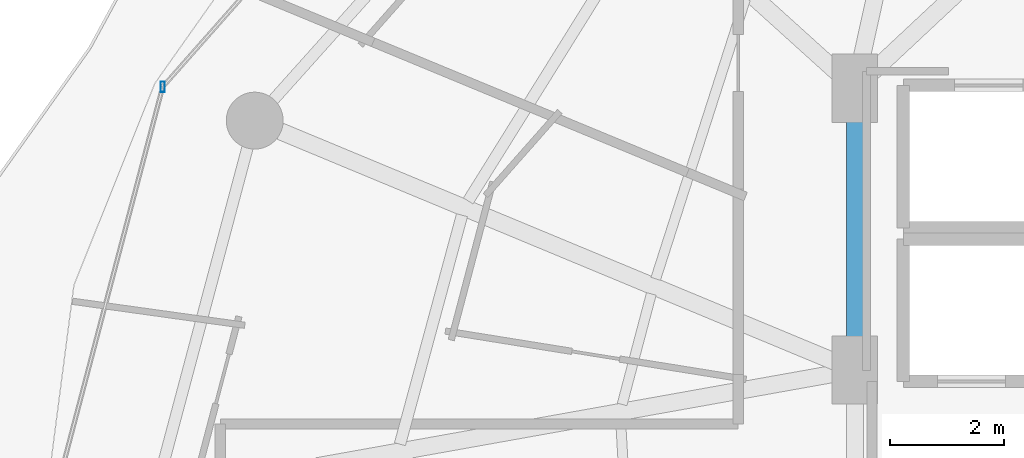
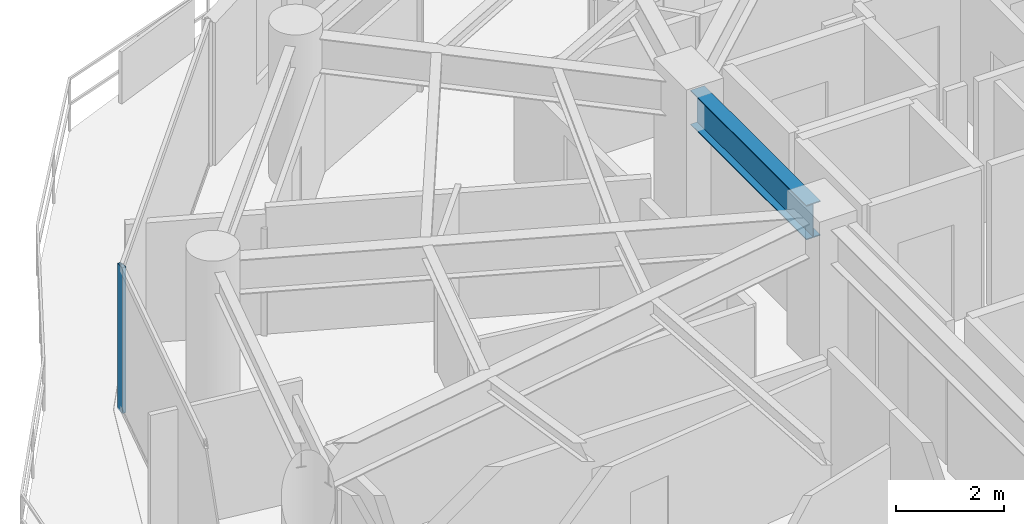
# One storey, part 9 of 29: 1 beam, 1 member, 1 element without a shape of its own.
"""IFC4 building model written with IfcOpenShell, lengths in metres."""

from ifc_helpers import new_model, si_unit, direction, frame, origin, origin_2d, place, context, subcontext, project, spatial, hollow_rectangle, i_section, extrude, material, material_profile, profile_set, type_object, element, aggregate, save


model = new_model("IFC4")

# Units and contexts
model_context = context("Model", 3, precision=1e-05, world=origin(), true_north=direction((0.0, 1.0)))
body_context = subcontext(model_context, "Body", "Model", "MODEL_VIEW")
ifc_project = project(units=[si_unit("LENGTHUNIT", "METRE"), si_unit("AREAUNIT", "SQUARE_METRE"), si_unit("VOLUMEUNIT", "CUBIC_METRE"), si_unit("PLANEANGLEUNIT", "RADIAN"), si_unit("MASSUNIT", "GRAM", prefix="KILO")], contexts=[model_context])

# Site, building, storey
site_placement = place(None, origin())
site = spatial("IfcSite", under=ifc_project, at=site_placement, CompositionType="ELEMENT")
building_placement = place(site_placement, origin())
building = spatial("IfcBuilding", under=site, at=building_placement, Name="Vorneva Point Tower", CompositionType="ELEMENT")
storey_placement = place(building_placement, frame((0.0, 0.0, 167.60009765625)))
storey = spatial("IfcBuildingStorey", under=building, at=storey_placement, Name="L45", CompositionType="ELEMENT", Elevation=167.60009765625)

# Beam
ifc_material_1 = material(Name="Steel S355", Category="steel")
ifc_material_profile_1 = material_profile(ifc_material_1, i_section(OverallWidth=0.300048828125, OverallDepth=0.7880859375, WebThickness=0.014404296875, FlangeThickness=0.02197265625, at=origin_2d()), Name="80Sh1")
ifc_profile_set_1 = profile_set([ifc_material_profile_1], Name="Steel S355")
beam_type = type_object("IfcBeamType", Name="BM-GRD-80Sh1", PredefinedType="USERDEFINED", material=ifc_profile_set_1)
beam_placement = place(storey_placement, frame((27.25, 28.52001953125, 2.845947265625), z_axis=(0.0, 1.0, 0.0), x_axis=(-1.0, 0.0, 0.0)))
element("IfcBeam", 1, at=beam_placement, inside=storey, type_object=beam_type, Name="L45 Core Tie Girder CT2", ObjectType="GIRDER", PredefinedType="USERDEFINED", context=body_context, shape_type="SweptSolid", body=[
    extrude(i_section(OverallWidth=0.300048828125, OverallDepth=0.7880859375, WebThickness=0.014404296875, FlangeThickness=0.02197265625, at=origin_2d()), origin(), (0.0, 0.0, 1.0), 4.31005859375),
])

# Curtain wall, member
ifc_material_2 = material(Name="Pale anodised aluminium", Category="aluminium")
curtain_wall_type = type_object("IfcCurtainWallType", Name="CW-RES-SYS", PredefinedType="NOTDEFINED", material=ifc_material_2)
curtain_wall_placement = place(storey_placement, origin())
curtain_wall = element("IfcCurtainWall", 2, at=curtain_wall_placement, inside=storey, type_object=curtain_wall_type, Name="L45 Unitised Curtain Wall CW-L45-R03", PredefinedType="NOTDEFINED")
ifc_material_profile_2 = material_profile(ifc_material_2, hollow_rectangle(XDim=0.074951171875, YDim=0.179931640625, WallThickness=0.00390625, at=origin_2d()), Name="AL-MUL 180x75x4")
ifc_profile_set_2 = profile_set([ifc_material_profile_2], Name="Pale anodised aluminium")
member_type = type_object("IfcMemberType", Name="CW-MUL-180", PredefinedType="MULLION", material=ifc_profile_set_2)
member_placement = place(storey_placement, frame((15.087890625, 33.17529296875, -0.0400390625), z_axis=(0.0, 0.0, 1.0), x_axis=(1.0, 0.0, 0.0)))
member = element("IfcMember", 3, at=member_placement, type_object=member_type, Name="CW-L45-R03 Mullion 02", PredefinedType="MULLION", context=body_context, shape_type="SweptSolid", body=[
    extrude(hollow_rectangle(XDim=0.074951171875, YDim=0.179931640625, WallThickness=0.00390625, at=origin_2d()), origin(), (0.0, 0.0, 1.0), 3.31005859375),
])
aggregate(curtain_wall, [member])

save(model, "model.ifc")
